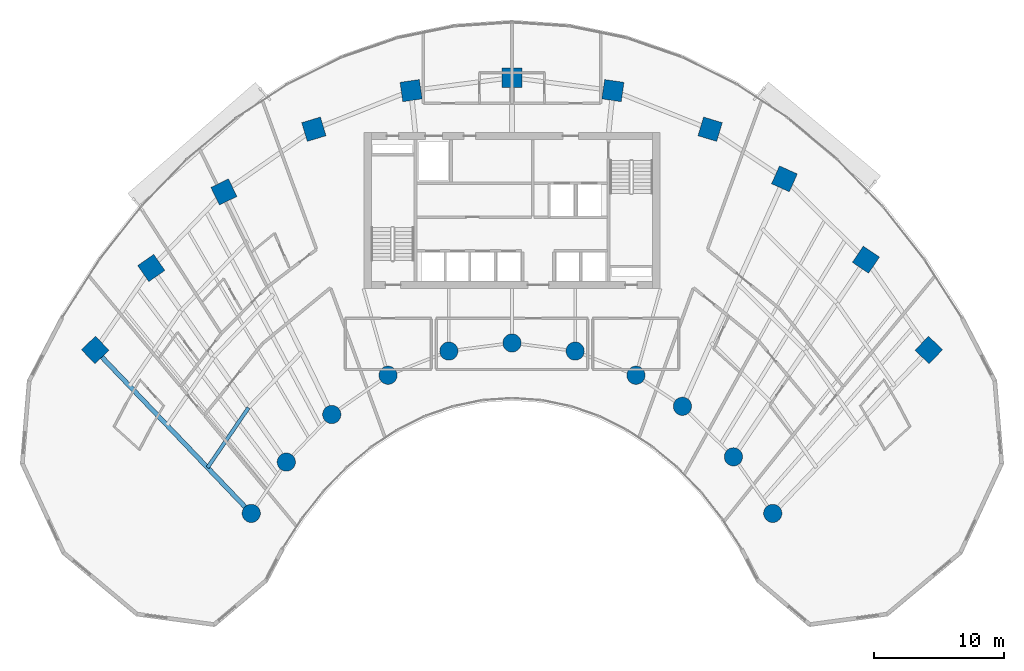
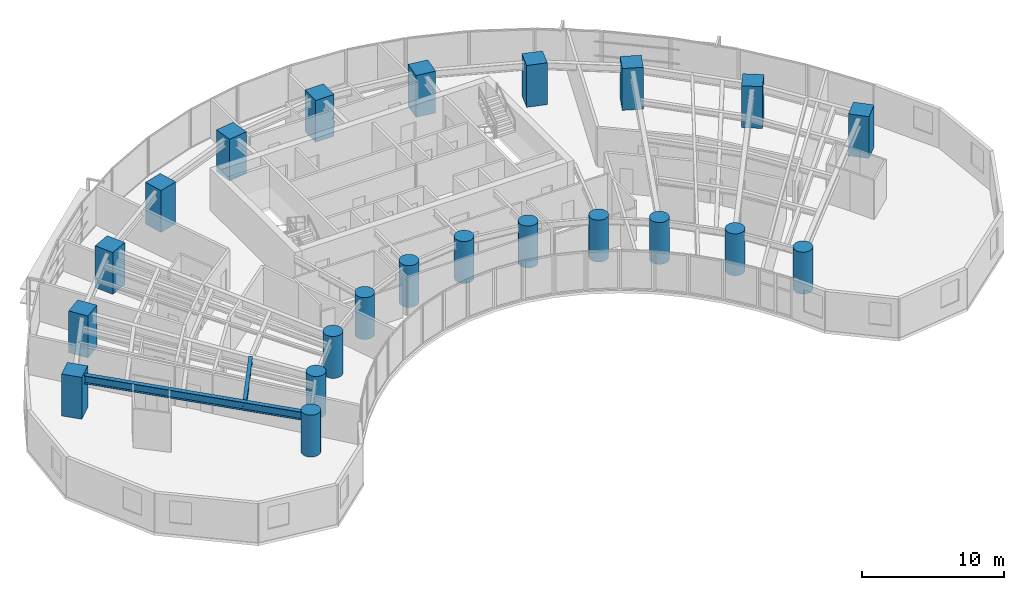
# One storey, part 1 of 17: 22 columns, 2 beams.
"""IFC4 building model written with IfcOpenShell, lengths in metres."""

from ifc_helpers import new_model, si_unit, direction, frame, origin, origin_2d, place, context, subcontext, project, spatial, rectangle, circle, i_section, extrude, source, transform, mapped, material, material_profile, profile_set, type_object, type_shapes, element, save


model = new_model("IFC4")

# Units and contexts
model_context = context("Model", 3, precision=1e-05, world=origin(), true_north=direction((0.0, 1.0)))
body_context = subcontext(model_context, "Body", "Model", "MODEL_VIEW")
ifc_project = project(units=[si_unit("LENGTHUNIT", "METRE"), si_unit("AREAUNIT", "SQUARE_METRE"), si_unit("VOLUMEUNIT", "CUBIC_METRE"), si_unit("PLANEANGLEUNIT", "RADIAN"), si_unit("MASSUNIT", "GRAM", prefix="KILO")], contexts=[model_context])

# Site, building, storey
site_placement = place(None, origin())
site = spatial("IfcSite", under=ifc_project, at=site_placement, CompositionType="ELEMENT")
building_placement = place(site_placement, origin())
building = spatial("IfcBuilding", under=site, at=building_placement, Name="Breltana Convention Tower", CompositionType="ELEMENT")
storey_placement = place(building_placement, frame((0.0, 0.0, 67.800048828125)))
storey = spatial("IfcBuildingStorey", under=building, at=storey_placement, Name="L15", CompositionType="ELEMENT", Elevation=67.800048828125)

# Columns
ifc_material_1 = material(Name="Concrete C60/75", Category="concrete")
ifc_material_profile_1 = material_profile(ifc_material_1, circle(Radius=0.699951171875, at=origin_2d()), Name="RC-COL-D1400")
ifc_profile_set_1 = profile_set([ifc_material_profile_1], Name="Concrete C60/75")
column_type_1 = type_object("IfcColumnType", Name="COL-RC-D1400", PredefinedType="COLUMN", material=ifc_profile_set_1)
shared_shape_1 = source(origin(), body_context, "Body", "SweptSolid", [
    extrude(circle(Radius=0.699951171875, at=origin_2d()), origin(), (0.0, 0.0, 1.0), 3.599853515625),
])
for number, where, z_axis, x_axis, name in (
    (1, (27.984619140625, 42.95458984375, 0.0), (0.0, 0.0, 1.0), (-0.690756218984, 0.723087716626, 0.0), "L15 Tower Column R01-IN"),
    (2, (30.67724609375, 46.892333984375, 0.0), (0.0, 0.0, 1.0), (-0.571143442153, 0.820850271661, 0.0), "L15 Tower Column R02-IN"),
    (3, (34.166259765625, 50.544921875, 0.0), (0.0, 0.0, 1.0), (-0.436173672171, 0.899862504889, 0.0), "L15 Tower Column R03-IN"),
    (4, (38.485107421875, 53.5576171875, 0.0), (0.0, 0.0, 1.0), (-0.288697611798, 0.957420330337, 0.0), "L15 Tower Column R04-IN"),
    (5, (43.153564453125, 55.41064453125, 0.0), (0.0, 0.0, 1.0), (-0.143492621991, 0.98965138682, 0.0), "L15 Tower Column R05-IN"),
    (6, (48.0, 56.035888671875, 0.0), (0.0, 0.0, 1.0), (0.0, 1.0, 0.0), "L15 Tower Column R06-IN"),
    (7, (52.846435546875, 55.41064453125, 0.0), (0.0, 0.0, 1.0), (0.143492621991, 0.98965138682, 0.0), "L15 Tower Column R07-IN"),
    (8, (57.514892578125, 53.5576171875, 0.0), (0.0, 0.0, 1.0), (0.288697611798, 0.957420330337, 0.0), "L15 Tower Column R08-IN"),
    (9, (61.08203125, 51.174560546875, 0.0), (0.0, 0.0, 1.0), (0.409126902895, 0.912477494148, 0.0), "L15 Tower Column R09-IN"),
    (10, (64.995849609375, 47.293701171875, 0.0), (0.0, 0.0, 1.0), (0.55774510898, 0.830012285095, 0.0), "L15 Tower Column R10-IN"),
    (11, (68.015380859375, 42.95458984375, 0.0), (0.0, 0.0, 1.0), (0.690756218984, 0.723087716626, 0.0), "L15 Tower Column R11-IN"),
):
    element("IfcColumn", number, at=place(storey_placement, frame(where, z_axis=z_axis, x_axis=x_axis)), inside=storey, type_object=column_type_1, Name=name, PredefinedType="COLUMN", context=body_context, shape_type="MappedRepresentation", body=[
        mapped(shared_shape_1, transform((0.0, 0.0, 0.0), scale=1.0)),
    ])
ifc_material_profile_2 = material_profile(ifc_material_1, rectangle(XDim=1.5, YDim=1.5, at=origin_2d()), Name="RC-COL-1500X1500")
ifc_profile_set_2 = profile_set([ifc_material_profile_2], Name="Concrete C60/75")
column_type_2 = type_object("IfcColumnType", Name="COL-RC-1500", PredefinedType="COLUMN", material=ifc_profile_set_2)
shared_shape_2 = source(origin(), body_context, "Body", "SweptSolid", [
    extrude(rectangle(XDim=1.5, YDim=1.5, at=origin_2d()), origin(), (0.0, 0.0, 1.0), 3.599853515625),
])
for number, where, z_axis, x_axis, name in (
    (12, (16.0068359375, 55.494384765625, 0.0), (0.0, 0.0, 1.0), (-0.690756218984, 0.723087716626, 0.0), "L15 Tower Column R01-OUT"),
    (13, (20.310791015625, 61.78857421875, 0.0), (0.0, 0.0, 1.0), (-0.571143442153, 0.820850271661, 0.0), "L15 Tower Column R02-OUT"),
    (14, (25.8876953125, 67.626953125, 0.0), (0.0, 0.0, 1.0), (-0.436173672171, 0.899862504889, 0.0), "L15 Tower Column R03-OUT"),
    (15, (32.791015625, 72.4423828125, 0.0), (0.0, 0.0, 1.0), (-0.288697611798, 0.957420330337, 0.0), "L15 Tower Column R04-OUT"),
    (16, (40.253173828125, 75.404296875, 0.0), (0.0, 0.0, 1.0), (-0.143492621991, 0.98965138682, 0.0), "L15 Tower Column R05-OUT"),
    (17, (48.0, 76.404052734375, 0.0), (0.0, 0.0, 1.0), (0.0, 1.0, 0.0), "L15 Tower Column R06-OUT"),
    (18, (55.746826171875, 75.404296875, 0.0), (0.0, 0.0, 1.0), (0.143492621991, 0.98965138682, 0.0), "L15 Tower Column R07-OUT"),
    (19, (63.208984375, 72.4423828125, 0.0), (0.0, 0.0, 1.0), (0.288697611798, 0.957420330337, 0.0), "L15 Tower Column R08-OUT"),
    (20, (68.910400390625, 68.63330078125, 0.0), (0.0, 0.0, 1.0), (0.409126902895, 0.912477494148, 0.0), "L15 Tower Column R09-OUT"),
    (21, (75.166748046875, 62.43017578125, 0.0), (0.0, 0.0, 1.0), (0.55774510898, 0.830012285095, 0.0), "L15 Tower Column R10-OUT"),
    (22, (79.9931640625, 55.494384765625, 0.0), (0.0, 0.0, 1.0), (0.690756218984, 0.723087716626, 0.0), "L15 Tower Column R11-OUT"),
):
    element("IfcColumn", number, at=place(storey_placement, frame(where, z_axis=z_axis, x_axis=x_axis)), inside=storey, type_object=column_type_2, Name=name, PredefinedType="COLUMN", context=body_context, shape_type="MappedRepresentation", body=[
        mapped(shared_shape_2, transform((0.0, 0.0, 0.0), scale=1.0)),
    ])

# Beams
ifc_material_2 = material(Name="Steel ASTM A992 Grade 50", Category="steel")
ifc_material_profile_3 = material_profile(ifc_material_2, i_section(OverallWidth=0.35498046875, OverallDepth=0.696044921875, WebThickness=0.015380859375, FlangeThickness=0.02490234375, at=origin_2d()), Name="W27X146")
ifc_profile_set_3 = profile_set([ifc_material_profile_3], Name="Steel ASTM A992 Grade 50")
beam_type_1 = type_object("IfcBeamType", Name="BM-RG-W27X146", PredefinedType="USERDEFINED", material=ifc_profile_set_3)
shared_shape_3 = source(origin(), body_context, "Body", "SweptSolid", [
    extrude(i_section(OverallWidth=0.35498046875, OverallDepth=0.696044921875, WebThickness=0.015380859375, FlangeThickness=0.02490234375, at=origin_2d()), origin(), (0.0, 0.0, 1.0), 17.341064453125),
])
type_shapes(beam_type_1, [shared_shape_3])
beam_1_placement = place(storey_placement, frame((27.984619140625, 42.95458984375, 3.011962890625), z_axis=(-0.690716462293, 0.723125693581, 0.0), x_axis=(-0.723125693581, -0.690716462293, 0.0)))
element("IfcBeam", 23, at=beam_1_placement, inside=storey, type_object=beam_type_1, Name="L15 Radial Floor Girder R01", ObjectType="GIRDER", PredefinedType="USERDEFINED", context=body_context, shape_type="MappedRepresentation", body=[
    mapped(shared_shape_3, transform((0.0, 0.0, 0.0), scale=1.0)),
])
ifc_material_profile_4 = material_profile(ifc_material_2, i_section(OverallWidth=0.280029296875, OverallDepth=0.462890625, WebThickness=0.0107421875, FlangeThickness=0.017333984375, at=origin_2d()), Name="W18X76")
ifc_profile_set_4 = profile_set([ifc_material_profile_4], Name="Steel ASTM A992 Grade 50")
beam_type_2 = type_object("IfcBeamType", Name="BM-JSG-06", PredefinedType="JOIST", material=ifc_profile_set_4)
shared_shape_4 = source(origin(), body_context, "Body", "SweptSolid", [
    extrude(i_section(OverallWidth=0.280029296875, OverallDepth=0.462890625, WebThickness=0.0107421875, FlangeThickness=0.017333984375, at=origin_2d()), origin(), (0.0, 0.0, 1.0), 5.569580078125),
])
type_shapes(beam_type_2, [shared_shape_4])
beam_2_placement = place(storey_placement, frame((24.630615234375, 46.4658203125, 3.12841796875), z_axis=(0.564493760458, 0.825437335237, 0.0), x_axis=(-0.825437335237, 0.564493760458, 0.0)))
element("IfcBeam", 24, at=beam_2_placement, inside=storey, type_object=beam_type_2, Name="L15 Composite Floor Joist 01.1", PredefinedType="JOIST", context=body_context, shape_type="MappedRepresentation", body=[
    mapped(shared_shape_4, transform((0.0, 0.0, 0.0), scale=1.0)),
])

save(model, "model.ifc")
